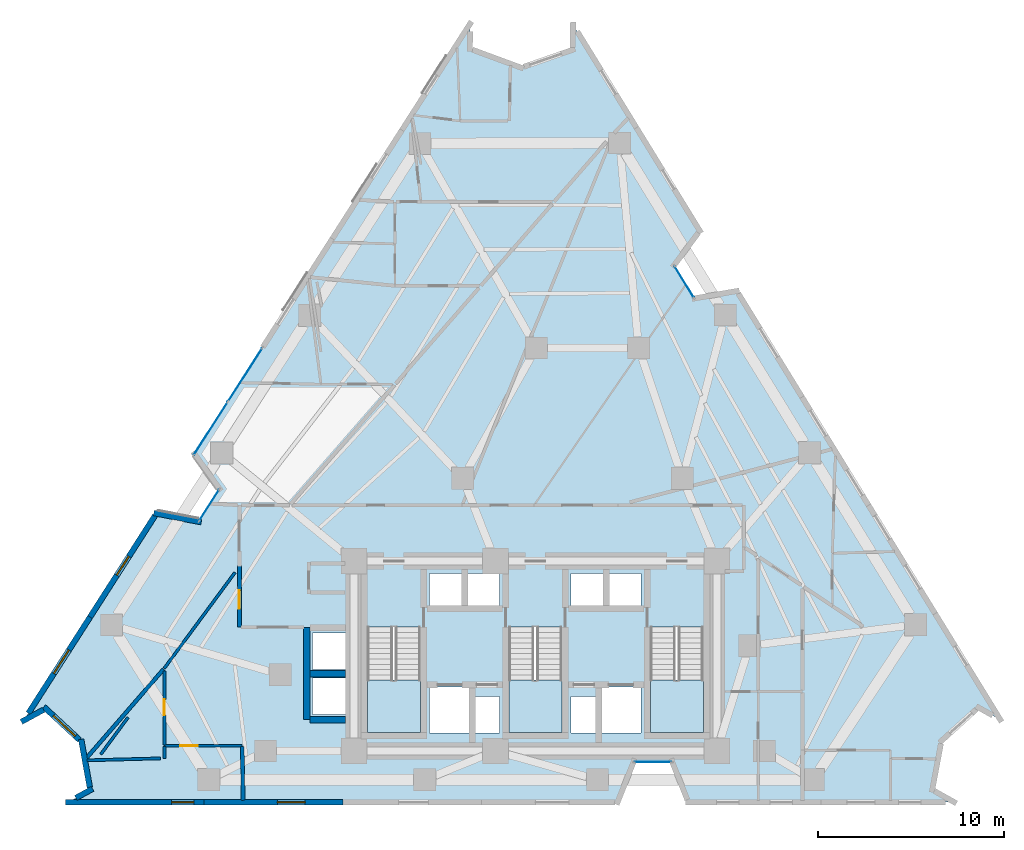
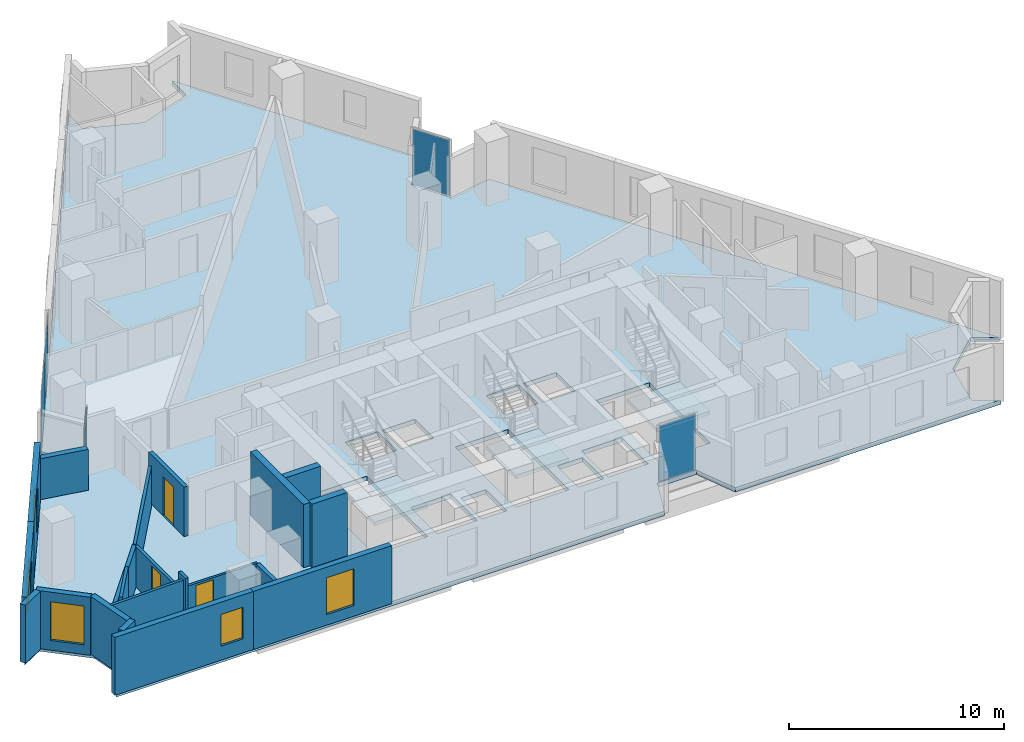
# One storey, part 6 of 13: 21 walls, 5 plates, 5 windows, 4 slabs, 3 doors, 8 openings, 7 elements without a shape of their own.
"""IFC4 building model written with IfcOpenShell, lengths in metres."""

from ifc_helpers import new_model, si_unit, direction, frame, frame_2d, origin, origin_2d, place, context, subcontext, project, spatial, polyline, rectangle, outline, extrude, material, layer, layer_set, type_object, element, fill, aggregate, save


model = new_model("IFC4")

# Units and contexts
model_context = context("Model", 3, precision=1e-05, world=origin(), true_north=direction((0.0, 1.0)))
body_context = subcontext(model_context, "Body", "Model", "MODEL_VIEW")
ifc_project = project(units=[si_unit("LENGTHUNIT", "METRE"), si_unit("AREAUNIT", "SQUARE_METRE"), si_unit("VOLUMEUNIT", "CUBIC_METRE"), si_unit("PLANEANGLEUNIT", "RADIAN"), si_unit("MASSUNIT", "GRAM", prefix="KILO")], contexts=[model_context])

# Site, building, storey
site_placement = place(None, origin())
site = spatial("IfcSite", under=ifc_project, at=site_placement, CompositionType="ELEMENT")
building_placement = place(site_placement, origin())
building = spatial("IfcBuilding", under=site, at=building_placement, Name="Almagre Mirador Tower", CompositionType="ELEMENT")
storey_placement = place(building_placement, frame((0.0, 0.0, 96.60009765625)))
storey = spatial("IfcBuildingStorey", under=building, at=storey_placement, Name="L24", CompositionType="ELEMENT", Elevation=96.60009765625)

# Curtain wall, plate
ifc_material_1 = material(Name="Black anodized aluminium", Category="aluminium")
ifc_layer_1 = layer(ifc_material_1, 0.169921875)
ifc_layer_set_1 = layer_set([ifc_layer_1], Name="Black anodized aluminium")
curtain_wall_type_1 = type_object("IfcCurtainWallType", Name="CW-CRS-SYS", PredefinedType="NOTDEFINED", material=ifc_layer_set_1)
curtain_wall_1_placement = place(storey_placement, origin())
curtain_wall_1 = element("IfcCurtainWall", 1, at=curtain_wall_1_placement, inside=storey, type_object=curtain_wall_type_1, Name="L24 vertical crease curtain wall 01", PredefinedType="NOTDEFINED")
ifc_material_2 = material(Name="Dark solar-control laminated hurricane glass", Category="glass")
ifc_layer_2 = layer(ifc_material_2, 0.028076171875)
ifc_layer_set_2 = layer_set([ifc_layer_2], Name="Dark solar-control laminated hurricane glass")
plate_type_1 = type_object("IfcPlateType", Name="PLT-GLZ-28", PredefinedType="CURTAIN_PANEL", material=ifc_layer_set_2)
plate_1_placement = place(storey_placement, frame((19.77197265625, 17.7490234375, 0.06005859375), z_axis=(0.0, 0.0, 1.0), x_axis=(0.539596564827, 0.841923718176, 0.0)))
plate_1 = element("IfcPlate", 2, at=plate_1_placement, type_object=plate_type_1, Name="CW-4 panel 1.1", PredefinedType="CURTAIN_PANEL", context=body_context, shape_type="SweptSolid", body=[
    extrude(rectangle(XDim=1.970458984375, YDim=0.028076171875, at=origin_2d()), origin(), (0.0, 0.0, 1.0), 3.179931640625),
])
aggregate(curtain_wall_1, [plate_1])

curtain_wall_2_placement = place(storey_placement, origin())
curtain_wall_2 = element("IfcCurtainWall", 3, at=curtain_wall_2_placement, inside=storey, type_object=curtain_wall_type_1, Name="L24 vertical crease curtain wall 03", PredefinedType="NOTDEFINED")
plate_2_placement = place(storey_placement, frame((45.2958984375, 29.74853515625, 0.06005859375), z_axis=(0.0, 0.0, 1.0), x_axis=(0.523403219085, -0.852085130871, 0.0)))
plate_2 = element("IfcPlate", 4, at=plate_2_placement, type_object=plate_type_1, Name="CW-4 panel 1.1", PredefinedType="CURTAIN_PANEL", context=body_context, shape_type="SweptSolid", body=[
    extrude(rectangle(XDim=1.97021484375, YDim=0.028076171875, at=origin_2d()), origin(), (0.0, 0.0, 1.0), 3.179931640625),
])
aggregate(curtain_wall_2, [plate_2])

curtain_wall_3_placement = place(storey_placement, origin())
curtain_wall_3 = element("IfcCurtainWall", 5, at=curtain_wall_3_placement, inside=storey, type_object=curtain_wall_type_1, Name="L24 vertical crease curtain wall 04", PredefinedType="NOTDEFINED")
plate_3_placement = place(storey_placement, frame((43.615966796875, 3.949951171875, 0.06005859375), z_axis=(0.0, 0.0, 1.0), x_axis=(-1.0, 0.0, 0.0)))
plate_3 = element("IfcPlate", 6, at=plate_3_placement, type_object=plate_type_1, Name="CW-4 panel 1.1", PredefinedType="CURTAIN_PANEL", context=body_context, shape_type="SweptSolid", body=[
    extrude(rectangle(XDim=1.969970703125, YDim=0.028076171875, at=origin_2d()), origin(), (0.0, 0.0, 1.0), 3.179931640625),
])
aggregate(curtain_wall_3, [plate_3])

# Curtain wall, plates
ifc_material_3 = material(Name="Black anodized aluminium", Category="aluminium")
ifc_layer_3 = layer(ifc_material_3, 0.18994140625)
ifc_layer_set_3 = layer_set([ifc_layer_3], Name="Black anodized aluminium")
curtain_wall_type_2 = type_object("IfcCurtainWallType", Name="CW-RES-L-SYS", PredefinedType="NOTDEFINED", material=ifc_layer_set_3)
curtain_wall_4_placement = place(storey_placement, origin())
curtain_wall_4 = element("IfcCurtainWall", 7, at=curtain_wall_4_placement, inside=storey, type_object=curtain_wall_type_2, Name="L24 curtain wall run 02", PredefinedType="NOTDEFINED")
ifc_material_4 = material(Name="Dark solar-control laminated hurricane glass", Category="glass")
ifc_layer_4 = layer(ifc_material_4, 0.031982421875)
ifc_layer_set_4 = layer_set([ifc_layer_4], Name="Dark solar-control laminated hurricane glass")
plate_type_2 = type_object("IfcPlateType", Name="PLT-GLZ-32", PredefinedType="CURTAIN_PANEL", material=ifc_layer_set_4)
plate_4_placement = place(storey_placement, frame((19.855224609375, 21.864013671875, 0.06005859375), z_axis=(0.0, 0.0, 1.0), x_axis=(0.539462147301, 0.842009852454, 0.0)))
plate_4 = element("IfcPlate", 8, at=plate_4_placement, type_object=plate_type_2, Name="CW-2 panel 1.1", PredefinedType="CURTAIN_PANEL", context=body_context, shape_type="SweptSolid", body=[
    extrude(rectangle(XDim=3.36865234375, YDim=0.031982421875, at=origin_2d()), origin(), (0.0, 0.0, 1.0), 3.179931640625),
])
plate_5_placement = place(storey_placement, frame((21.70751953125, 24.75537109375, 0.06005859375), z_axis=(0.0, 0.0, 1.0), x_axis=(0.539462147301, 0.842009852454, 0.0)))
plate_5 = element("IfcPlate", 9, at=plate_5_placement, type_object=plate_type_2, Name="CW-2 panel 2.1", PredefinedType="CURTAIN_PANEL", context=body_context, shape_type="SweptSolid", body=[
    extrude(rectangle(XDim=3.36865234375, YDim=0.031982421875, at=origin_2d()), origin(), (0.0, 0.0, 1.0), 3.179931640625),
])
aggregate(curtain_wall_4, [plate_4, plate_5])

# Slab
ifc_material_5 = material(Name="Concrete C45/55", Category="concrete")
ifc_layer_5 = layer(ifc_material_5, 0.25)
ifc_layer_set_5 = layer_set([ifc_layer_5], Name="Concrete C45/55")
slab_type_1 = type_object("IfcSlabType", Name="SLB-FLR-250", PredefinedType="FLOOR", material=ifc_layer_set_5)
slab_1_placement = place(storey_placement, frame((0.0, 0.0, -0.25)))
element("IfcSlab", 10, at=slab_1_placement, inside=storey, type_object=slab_type_1, Name="L24 structural floor slab", PredefinedType="FLOOR", context=body_context, shape_type="SweptSolid", body=[
    extrude(outline(polyline([(9.804931640625, 6.177978515625), (10.989990234375, 6.825927734375), (12.9169921875, 5.035888671875), (13.384033203125, 2.447998046875), (12.199951171875, 1.800048828125), (41.716064453125, 1.800048828125), (42.571044921875, 3.949951171875), (44.660888671875, 3.949951171875), (45.51611328125, 1.800048828125), (59.800048828125, 1.800048828125), (58.6220703125, 2.458984375), (59.114013671875, 5.091064453125), (61.09912109375, 6.888916015625), (62.277099609375, 6.22998046875), (48.1220703125, 29.256103515625), (45.843017578125, 28.85791015625), (44.7490234375, 30.638916015625), (46.132080078125, 32.492919921875), (39.322998046875, 43.570068359375), (39.31103515625, 42.219970703125), (36.537109375, 41.256103515625), (33.781982421875, 42.27197265625), (33.794921875, 43.6220703125), (18.987060546875, 20.509033203125), (20.3359375, 18.62890625), (19.2080078125, 16.868896484375), (16.93701171875, 17.30908203125), (9.804931640625, 6.177978515625)]), holes=[polyline([(43.47509765625, 11.196044921875), (46.324951171875, 11.196044921875), (46.324951171875, 5.550048828125), (43.47509765625, 5.550048828125), (43.47509765625, 11.196044921875)]), polyline([(40.820068359375, 5.52001953125), (40.820068359375, 7.97998046875), (42.97998046875, 7.97998046875), (42.97998046875, 5.52001953125), (40.820068359375, 5.52001953125)]), polyline([(41.219970703125, 12.320068359375), (41.219970703125, 14.080078125), (42.97998046875, 14.080078125), (42.97998046875, 12.320068359375), (41.219970703125, 12.320068359375)]), polyline([(39.219970703125, 12.320068359375), (39.219970703125, 14.080078125), (40.97998046875, 14.080078125), (40.97998046875, 12.320068359375), (39.219970703125, 12.320068359375)]), polyline([(39.219970703125, 5.52001953125), (39.219970703125, 7.47998046875), (40.580078125, 7.47998046875), (40.580078125, 5.52001953125), (39.219970703125, 5.52001953125)]), polyline([(35.875, 11.196044921875), (38.72509765625, 11.196044921875), (38.72509765625, 5.550048828125), (35.875, 5.550048828125), (35.875, 11.196044921875)]), polyline([(35.3798828125, 5.52001953125), (34.02001953125, 5.52001953125), (34.02001953125, 7.47998046875), (35.3798828125, 7.47998046875), (35.3798828125, 5.52001953125)]), polyline([(35.3798828125, 12.320068359375), (33.6201171875, 12.320068359375), (33.6201171875, 14.080078125), (35.3798828125, 14.080078125), (35.3798828125, 12.320068359375)]), polyline([(31.6201171875, 5.52001953125), (31.6201171875, 7.97998046875), (33.780029296875, 7.97998046875), (33.780029296875, 5.52001953125), (31.6201171875, 5.52001953125)]), polyline([(31.6201171875, 12.320068359375), (31.6201171875, 14.080078125), (33.3798828125, 14.080078125), (33.3798828125, 12.320068359375), (31.6201171875, 12.320068359375)]), polyline([(28.27490234375, 5.550048828125), (28.27490234375, 11.196044921875), (31.125, 11.196044921875), (31.125, 5.550048828125), (28.27490234375, 5.550048828125)]), polyline([(25.320068359375, 6.52001953125), (25.320068359375, 8.47998046875), (27.3798828125, 8.47998046875), (27.3798828125, 6.52001953125), (25.320068359375, 6.52001953125)]), polyline([(25.320068359375, 8.919921875), (25.320068359375, 10.8798828125), (27.3798828125, 10.8798828125), (27.3798828125, 8.919921875), (25.320068359375, 8.919921875)])]), origin(), (0.0, 0.0, 1.0), 0.25),
])

# Stair, slab
ifc_material_6 = material(Name="Concrete C45/55", Category="concrete")
stair_type = type_object("IfcStairType", Name="STR-DL-3600", PredefinedType="HALF_TURN_STAIR", material=ifc_material_6)
stair_1_placement = place(storey_placement, origin())
stair_1 = element("IfcStair", 11, at=stair_1_placement, inside=storey, type_object=stair_type, Name="L24 Protected exit stair ST-1", PredefinedType="HALF_TURN_STAIR")
ifc_material_7 = material(Name="Concrete C45/55", Category="concrete")
ifc_layer_6 = layer(ifc_material_7, 0.199951171875)
ifc_layer_set_6 = layer_set([ifc_layer_6], Name="Concrete C45/55")
slab_type_2 = type_object("IfcSlabType", Name="SLB-LND-200", PredefinedType="LANDING", material=ifc_layer_set_6)
slab_2_placement = place(storey_placement, frame((0.0, 0.0, 1.599853515625)))
slab_2 = element("IfcSlab", 12, at=slab_2_placement, type_object=slab_type_2, Name="ST-1 landing 1", PredefinedType="LANDING", context=body_context, shape_type="SweptSolid", body=[
    extrude(outline(polyline([(28.27490234375, 8.35009765625), (28.27490234375, 5.550048828125), (31.125, 5.550048828125), (31.125, 8.35009765625), (28.27490234375, 8.35009765625)])), origin(), (0.0, 0.0, 1.0), 0.199951171875),
])
aggregate(stair_1, [slab_2])

stair_2_placement = place(storey_placement, origin())
stair_2 = element("IfcStair", 13, at=stair_2_placement, inside=storey, type_object=stair_type, Name="L24 Protected exit stair ST-2", PredefinedType="HALF_TURN_STAIR")
slab_3_placement = place(storey_placement, frame((0.0, 0.0, 1.599853515625)))
slab_3 = element("IfcSlab", 14, at=slab_3_placement, type_object=slab_type_2, Name="ST-2 landing 1", PredefinedType="LANDING", context=body_context, shape_type="SweptSolid", body=[
    extrude(outline(polyline([(35.875, 8.35009765625), (35.875, 5.550048828125), (38.72509765625, 5.550048828125), (38.72509765625, 8.35009765625), (35.875, 8.35009765625)])), origin(), (0.0, 0.0, 1.0), 0.199951171875),
])
aggregate(stair_2, [slab_3])

stair_3_placement = place(storey_placement, origin())
stair_3 = element("IfcStair", 15, at=stair_3_placement, inside=storey, type_object=stair_type, Name="L24 Protected exit stair ST-3", PredefinedType="HALF_TURN_STAIR")
slab_4_placement = place(storey_placement, frame((0.0, 0.0, 1.599853515625)))
slab_4 = element("IfcSlab", 16, at=slab_4_placement, type_object=slab_type_2, Name="ST-3 landing 1", PredefinedType="LANDING", context=body_context, shape_type="SweptSolid", body=[
    extrude(outline(polyline([(43.47509765625, 8.35009765625), (43.47509765625, 5.550048828125), (46.324951171875, 5.550048828125), (46.324951171875, 8.35009765625), (43.47509765625, 8.35009765625)])), origin(), (0.0, 0.0, 1.0), 0.199951171875),
])
aggregate(stair_3, [slab_4])

# Wall
ifc_material_8 = material(Name="Precast concrete C50/60", Category="concrete")
ifc_layer_7 = layer(ifc_material_8, 0.300048828125)
ifc_layer_set_7 = layer_set([ifc_layer_7], Name="Precast concrete C50/60")
wall_type_1 = type_object("IfcWallType", Name="WAL-EXT-300", PredefinedType="SOLIDWALL", material=ifc_layer_set_7)
wall_1_placement = place(storey_placement, frame((16.799560546875, 17.335693359375, 0.0), z_axis=(0.0, 0.0, 1.0), x_axis=(0.981732795781, -0.190264861936, 0.0)))
element("IfcWall", 17, at=wall_1_placement, inside=storey, type_object=wall_type_1, Name="L24 expressed almagre precast frame wall 01", PredefinedType="SOLIDWALL", context=body_context, shape_type="SweptSolid", body=[
    extrude(rectangle(XDim=2.59326171875, YDim=0.300048828125, at=frame_2d((1.296630859375, 0.0))), origin(), (0.0, 0.0, 1.0), 2.324951171875),
])

# Wall, opening, window
wall_2_placement = place(storey_placement, frame((26.9580078125, 1.800048828125, 0.0), z_axis=(0.0, 0.0, 1.0), x_axis=(-1.0, 0.0, 0.0)))
wall_2 = element("IfcWall", 18, at=wall_2_placement, inside=storey, type_object=wall_type_1, Name="L24 expressed almagre precast frame wall 28", PredefinedType="SOLIDWALL", context=body_context, shape_type="SweptSolid", body=[
    extrude(rectangle(XDim=7.448974609375, YDim=0.300048828125, at=frame_2d((3.724609375, 0.0))), origin(), (0.0, 0.0, 1.0), 3.2998046875),
])
opening_1_placement = place(wall_2_placement, frame((2.02490234375, 0.0, 0.60009765625)))
opening_1 = element("IfcOpeningElement", 19, at=opening_1_placement, cuts=wall_2, Name="Opening WN-03", PredefinedType="OPENING", context=body_context, shape_type="SweptSolid", body=[
    extrude(rectangle(XDim=1.5, YDim=2.10009765625, at=frame_2d((0.75, 1.050048828125))), frame((0.0, 0.159902, 0.0), z_axis=(0.0, -1.0, 0.0), x_axis=(1.0, 0.0, 0.0)), (0.0, 0.0, 1.0), 0.320049),
])
ifc_material_9 = material(Name="Dark solar-control laminated hurricane glass", Category="glass")
window_type_1 = type_object("IfcWindowType", Name="WIN-1500X2100", PartitioningType="DOUBLE_PANEL_VERTICAL", PredefinedType="WINDOW", material=ifc_material_9)
window_1_placement = place(opening_1_placement, origin())
window_1 = element("IfcWindow", 20, at=window_1_placement, inside=storey, type_object=window_type_1, Name="L24 recessed hurricane window L24-RST-B", OverallHeight=2.10009765625, OverallWidth=1.5, PartitioningType="SINGLE_PANEL", PredefinedType="WINDOW", context=body_context, shape_type="SweptSolid", body=[
    extrude(rectangle(XDim=1.5, YDim=2.10009765625, at=frame_2d((0.75, 1.050048828125))), frame((0.0, 0.030029296875, 0.0), z_axis=(0.0, -1.0, 0.0), x_axis=(1.0, 0.0, 0.0)), (0.0, 0.0, 1.0), 0.06005859375),
])
fill(opening_1, window_1)

wall_3_placement = place(storey_placement, frame((19.509033203125, 1.800048828125, 0.0), z_axis=(0.0, 0.0, 1.0), x_axis=(-1.0, 0.0, 0.0)))
wall_3 = element("IfcWall", 21, at=wall_3_placement, inside=storey, type_object=wall_type_1, Name="L24 expressed almagre precast frame wall 29", PredefinedType="SOLIDWALL", context=body_context, shape_type="SweptSolid", body=[
    extrude(rectangle(XDim=7.448974609375, YDim=0.300048828125, at=frame_2d((3.724609375, 0.0))), origin(), (0.0, 0.0, 1.0), 3.2998046875),
])
opening_2_placement = place(wall_3_placement, frame((0.550048828125, 0.0, 0.800048828125)))
opening_2 = element("IfcOpeningElement", 22, at=opening_2_placement, cuts=wall_3, Name="Opening WN-04", PredefinedType="OPENING", context=body_context, shape_type="SweptSolid", body=[
    extrude(rectangle(XDim=1.199951171875, YDim=1.800048828125, at=frame_2d((0.60009765625, 0.89990234375))), frame((0.0, 0.159902, 0.0), z_axis=(0.0, -1.0, 0.0), x_axis=(1.0, 0.0, 0.0)), (0.0, 0.0, 1.0), 0.320049),
])
ifc_material_10 = material(Name="Dark solar-control laminated hurricane glass", Category="glass")
window_type_2 = type_object("IfcWindowType", Name="WIN-1200X1800", PartitioningType="SINGLE_PANEL", PredefinedType="WINDOW", material=ifc_material_10)
window_2_placement = place(opening_2_placement, origin())
window_2 = element("IfcWindow", 23, at=window_2_placement, inside=storey, type_object=window_type_2, Name="L24 recessed hurricane window L24-UA-KT", OverallHeight=1.800048828125, OverallWidth=1.199951171875, PartitioningType="SINGLE_PANEL", PredefinedType="WINDOW", context=body_context, shape_type="SweptSolid", body=[
    extrude(rectangle(XDim=1.199951171875, YDim=1.800048828125, at=frame_2d((0.60009765625, 0.89990234375))), frame((0.0, 0.030029296875, 0.0), z_axis=(0.0, -1.0, 0.0), x_axis=(1.0, 0.0, 0.0)), (0.0, 0.0, 1.0), 0.06005859375),
])
fill(opening_2, window_2)

# Walls
wall_4_placement = place(storey_placement, frame((12.6123046875, 2.025634765625, 0.0), z_axis=(0.0, 0.0, 1.0), x_axis=(0.877245120991, 0.480042704036, 0.0)))
element("IfcWall", 24, at=wall_4_placement, inside=storey, type_object=wall_type_1, Name="L24 expressed almagre precast frame wall 30", PredefinedType="SOLIDWALL", context=body_context, shape_type="SweptSolid", body=[
    extrude(rectangle(XDim=1.019775390625, YDim=0.300048828125, at=frame_2d((0.509765625, 0.0))), origin(), (0.0, 0.0, 1.0), 3.2998046875),
])
wall_5_placement = place(storey_placement, frame((13.360107421875, 2.580810546875, 0.0), z_axis=(0.0, 0.0, 1.0), x_axis=(-0.177621463404, 0.984098885142, 0.0)))
element("IfcWall", 25, at=wall_5_placement, inside=storey, type_object=wall_type_1, Name="L24 expressed almagre precast frame wall 31", PredefinedType="SOLIDWALL", context=body_context, shape_type="SweptSolid", body=[
    extrude(rectangle(XDim=2.635009765625, YDim=0.300048828125, at=frame_2d((1.3173828125, 0.0))), origin(), (0.0, 0.0, 1.0), 3.2998046875),
])

# Wall, opening, window
wall_6_placement = place(storey_placement, frame((12.80712890625, 5.13818359375, 0.0), z_axis=(0.0, 0.0, 1.0), x_axis=(-0.732670686937, 0.680583326642, 0.0)))
wall_6 = element("IfcWall", 26, at=wall_6_placement, inside=storey, type_object=wall_type_1, Name="L24 expressed almagre precast frame wall 32", PredefinedType="SOLIDWALL", context=body_context, shape_type="SweptSolid", body=[
    extrude(rectangle(XDim=2.6201171875, YDim=0.300048828125, at=frame_2d((1.31005859375, 0.0))), origin(), (0.0, 0.0, 1.0), 3.2998046875),
])
opening_3_placement = place(wall_6_placement, frame((0.31005859375, 0.0, 0.550048828125)))
opening_3 = element("IfcOpeningElement", 27, at=opening_3_placement, cuts=wall_6, Name="Opening WN-06", PredefinedType="OPENING", context=body_context, shape_type="SweptSolid", body=[
    extrude(rectangle(XDim=1.60009765625, YDim=2.199951171875, at=frame_2d((0.800048828125, 1.10009765625))), frame((0.0, 0.159902, 0.0), z_axis=(0.0, -1.0, 0.0), x_axis=(1.0, 0.0, 0.0)), (0.0, 0.0, 1.0), 0.320049),
])
ifc_material_11 = material(Name="Dark solar-control laminated hurricane glass", Category="glass")
window_type_3 = type_object("IfcWindowType", Name="WIN-1600X2200", PartitioningType="DOUBLE_PANEL_VERTICAL", PredefinedType="WINDOW", material=ifc_material_11)
window_3_placement = place(opening_3_placement, origin())
window_3 = element("IfcWindow", 28, at=window_3_placement, inside=storey, type_object=window_type_3, Name="L24 recessed hurricane window L24-RST-E", OverallHeight=2.199951171875, OverallWidth=1.60009765625, PartitioningType="SINGLE_PANEL", PredefinedType="WINDOW", context=body_context, shape_type="SweptSolid", body=[
    extrude(rectangle(XDim=1.60009765625, YDim=2.199951171875, at=frame_2d((0.800048828125, 1.10009765625))), frame((0.0, 0.030029296875, 0.0), z_axis=(0.0, -1.0, 0.0), x_axis=(1.0, 0.0, 0.0)), (0.0, 0.0, 1.0), 0.06005859375),
])
fill(opening_3, window_3)

# Wall
wall_7_placement = place(storey_placement, frame((10.8759765625, 6.763671875, 0.0), z_axis=(0.0, 0.0, 1.0), x_axis=(-0.877387661902, -0.47978212841, 0.0)))
element("IfcWall", 29, at=wall_7_placement, inside=storey, type_object=wall_type_1, Name="L24 expressed almagre precast frame wall 33", PredefinedType="SOLIDWALL", context=body_context, shape_type="SweptSolid", body=[
    extrude(rectangle(XDim=1.360595703125, YDim=0.300048828125, at=frame_2d((0.68017578125, 0.0))), origin(), (0.0, 0.0, 1.0), 3.2998046875),
])

# Wall, opening, window
wall_8_placement = place(storey_placement, frame((10.05859375, 6.57373046875, 0.0), z_axis=(0.0, 0.0, 1.0), x_axis=(0.539504958898, 0.841982422218, 0.0)))
wall_8 = element("IfcWall", 30, at=wall_8_placement, inside=storey, type_object=wall_type_1, Name="L24 expressed almagre precast frame wall 34", PredefinedType="SOLIDWALL", context=body_context, shape_type="SweptSolid", body=[
    extrude(rectangle(XDim=6.139892578125, YDim=0.300048828125, at=frame_2d((3.06982421875, 0.0))), origin(), (0.0, 0.0, 1.0), 3.2998046875),
])
opening_4_placement = place(wall_8_placement, frame((2.5400390625, 0.0, 0.60009765625)))
opening_4 = element("IfcOpeningElement", 31, at=opening_4_placement, cuts=wall_8, Name="Opening WN-03", PredefinedType="OPENING", context=body_context, shape_type="SweptSolid", body=[
    extrude(rectangle(XDim=1.5, YDim=2.10009765625, at=frame_2d((0.75, 1.050048828125))), frame((0.0, 0.159902, 0.0), z_axis=(0.0, -1.0, 0.0), x_axis=(1.0, 0.0, 0.0)), (0.0, 0.0, 1.0), 0.320049),
])
window_4_placement = place(opening_4_placement, origin())
window_4 = element("IfcWindow", 32, at=window_4_placement, inside=storey, type_object=window_type_1, Name="L24 recessed hurricane window L24-RST-E", OverallHeight=2.10009765625, OverallWidth=1.5, PartitioningType="SINGLE_PANEL", PredefinedType="WINDOW", context=body_context, shape_type="SweptSolid", body=[
    extrude(rectangle(XDim=1.5, YDim=2.10009765625, at=frame_2d((0.75, 1.050048828125))), frame((0.0, 0.030029296875, 0.0), z_axis=(0.0, -1.0, 0.0), x_axis=(1.0, 0.0, 0.0)), (0.0, 0.0, 1.0), 0.06005859375),
])
fill(opening_4, window_4)

wall_9_placement = place(storey_placement, frame((13.37109375, 11.743408203125, 0.0), z_axis=(0.0, 0.0, 1.0), x_axis=(0.539456253254, 0.842013628646, 0.0)))
wall_9 = element("IfcWall", 33, at=wall_9_placement, inside=storey, type_object=wall_type_1, Name="L24 expressed almagre precast frame wall 35", PredefinedType="SOLIDWALL", context=body_context, shape_type="SweptSolid", body=[
    extrude(rectangle(XDim=6.469970703125, YDim=0.300048828125, at=frame_2d((3.23486328125, 0.0))), origin(), (0.0, 0.0, 1.0), 3.2998046875),
])
opening_5_placement = place(wall_9_placement, frame((2.675048828125, 0.0, 0.800048828125)))
opening_5 = element("IfcOpeningElement", 34, at=opening_5_placement, cuts=wall_9, Name="Opening WN-04", PredefinedType="OPENING", context=body_context, shape_type="SweptSolid", body=[
    extrude(rectangle(XDim=1.199951171875, YDim=1.800048828125, at=frame_2d((0.60009765625, 0.89990234375))), frame((0.0, 0.159902, 0.0), z_axis=(0.0, -1.0, 0.0), x_axis=(1.0, 0.0, 0.0)), (0.0, 0.0, 1.0), 0.320049),
])
window_5_placement = place(opening_5_placement, origin())
window_5 = element("IfcWindow", 35, at=window_5_placement, inside=storey, type_object=window_type_2, Name="L24 recessed hurricane window L24-RST-E", OverallHeight=1.800048828125, OverallWidth=1.199951171875, PartitioningType="SINGLE_PANEL", PredefinedType="WINDOW", context=body_context, shape_type="SweptSolid", body=[
    extrude(rectangle(XDim=1.199951171875, YDim=1.800048828125, at=frame_2d((0.60009765625, 0.89990234375))), frame((0.0, 0.030029296875, 0.0), z_axis=(0.0, -1.0, 0.0), x_axis=(1.0, 0.0, 0.0)), (0.0, 0.0, 1.0), 0.06005859375),
])
fill(opening_5, window_5)

# Wall, opening, door
ifc_material_12 = material(Name="Gypsum acoustic stud partition", Category="other")
ifc_layer_8 = layer(ifc_material_12, 0.125)
ifc_layer_set_8 = layer_set([ifc_layer_8], Name="Gypsum acoustic stud partition")
wall_type_2 = type_object("IfcWallType", Name="WAL-PRT-125-UTL", PredefinedType="PARTITIONING", material=ifc_layer_set_8)
wall_10_placement = place(storey_placement, frame((17.3701171875, 4.830078125, 0.0), z_axis=(0.0, 0.0, 1.0), x_axis=(1.0, 0.0, 0.0)))
wall_10 = element("IfcWall", 36, at=wall_10_placement, inside=storey, type_object=wall_type_2, Name="L24 interior partition 012", PredefinedType="PARTITIONING", context=body_context, shape_type="SweptSolid", body=[
    extrude(rectangle(XDim=4.179931640625, YDim=0.125, at=frame_2d((2.08984375, 0.0))), origin(), (0.0, 0.0, 1.0), 2.31982421875),
])
opening_6_placement = place(wall_10_placement, frame((0.847900390625, 0.0, 0.0)))
opening_6 = element("IfcOpeningElement", 37, at=opening_6_placement, cuts=wall_10, Name="Opening UD-01", PredefinedType="OPENING", context=body_context, shape_type="SweptSolid", body=[
    extrude(rectangle(XDim=0.949951171875, YDim=2.199951171875, at=frame_2d((0.47509765625, 1.10009765625))), frame((0.0, 0.0725, 0.0), z_axis=(0.0, -1.0, 0.0), x_axis=(1.0, 0.0, 0.0)), (0.0, 0.0, 1.0), 0.145),
])
ifc_material_13 = material(Name="Solid American walnut timber", Category="wood")
door_type_1 = type_object("IfcDoorType", Name="DOR-UNR-950X2200", OperationType="NOTDEFINED", PredefinedType="DOOR", material=ifc_material_13)
door_1_placement = place(opening_6_placement, origin())
door_1 = element("IfcDoor", 38, at=door_1_placement, inside=storey, type_object=door_type_1, Name="DR-0815 L24 interior door L24-UA-ST to L24-UA-KT", OperationType="SINGLE_SWING_RIGHT", OverallHeight=2.199951171875, OverallWidth=0.949951171875, PredefinedType="DOOR", context=body_context, shape_type="SweptSolid", body=[
    extrude(rectangle(XDim=0.949951171875, YDim=2.199951171875, at=frame_2d((0.47509765625, 1.10009765625))), frame((0.0, 0.02490234375, 0.0), z_axis=(0.0, -1.0, 0.0), x_axis=(1.0, 0.0, 0.0)), (0.0, 0.0, 1.0), 0.050048828125),
])
fill(opening_6, door_1)

ifc_material_14 = material(Name="Gypsum acoustic stud partition", Category="other")
ifc_layer_9 = layer(ifc_material_14, 0.14990234375)
ifc_layer_set_9 = layer_set([ifc_layer_9], Name="Gypsum acoustic stud partition")
wall_type_3 = type_object("IfcWallType", Name="WAL-PRT-150-STD", PredefinedType="PARTITIONING", material=ifc_layer_set_9)
wall_11_placement = place(storey_placement, frame((17.3701171875, 8.840087890625, 0.0), z_axis=(0.0, 0.0, 1.0), x_axis=(0.0, -1.0, 0.0)))
wall_11 = element("IfcWall", 39, at=wall_11_placement, inside=storey, type_object=wall_type_3, Name="L24 interior partition 013", PredefinedType="PARTITIONING", context=body_context, shape_type="SweptSolid", body=[
    extrude(rectangle(XDim=3.962646484375, YDim=0.14990234375, at=frame_2d((1.9814453125, 0.0))), origin(), (0.0, 0.0, 1.0), 2.31982421875),
])
opening_7_placement = place(wall_11_placement, frame((1.52001953125, 0.0, 0.0)))
opening_7 = element("IfcOpeningElement", 40, at=opening_7_placement, cuts=wall_11, Name="Opening UD-04", PredefinedType="OPENING", context=body_context, shape_type="SweptSolid", body=[
    extrude(rectangle(XDim=0.85009765625, YDim=2.10009765625, at=frame_2d((0.425048828125, 1.050048828125))), frame((0.0, 0.084951, 0.0), z_axis=(0.0, -1.0, 0.0), x_axis=(1.0, 0.0, 0.0)), (0.0, 0.0, 1.0), 0.169902),
])
ifc_material_15 = material(Name="Moisture-resistant oak timber", Category="wood")
door_type_2 = type_object("IfcDoorType", Name="DOR-UNR-850X2100", OperationType="NOTDEFINED", PredefinedType="DOOR", material=ifc_material_15)
door_2_placement = place(opening_7_placement, origin())
door_2 = element("IfcDoor", 41, at=door_2_placement, inside=storey, type_object=door_type_2, Name="DR-0816 L24 interior door L24-UA-ST to L24-UA-BT", OperationType="SINGLE_SWING_LEFT", OverallHeight=2.10009765625, OverallWidth=0.85009765625, PredefinedType="DOOR", context=body_context, shape_type="SweptSolid", body=[
    extrude(rectangle(XDim=0.85009765625, YDim=2.10009765625, at=frame_2d((0.425048828125, 1.050048828125))), frame((0.0, 0.02490234375, 0.0), z_axis=(0.0, -1.0, 0.0), x_axis=(1.0, 0.0, 0.0)), (0.0, 0.0, 1.0), 0.050048828125),
])
fill(opening_7, door_2)

# Walls
wall_12_placement = place(storey_placement, frame((17.3701171875, 4.782470703125, 0.0), z_axis=(0.0, 0.0, 1.0), x_axis=(0.0, -1.0, 0.0)))
element("IfcWall", 42, at=wall_12_placement, inside=storey, type_object=wall_type_3, Name="L24 interior partition 014", PredefinedType="PARTITIONING", context=body_context, shape_type="SweptSolid", body=[
    extrude(rectangle(XDim=0.632568359375, YDim=0.14990234375, at=frame_2d((0.31640625, 0.0))), origin(), (0.0, 0.0, 1.0), 3.2998046875),
])
wall_13_placement = place(storey_placement, frame((13.2060546875, 4.0439453125, 0.0), z_axis=(0.0, 0.0, 1.0), x_axis=(0.999640228741, 0.026821876926, 0.0)))
element("IfcWall", 43, at=wall_13_placement, inside=storey, type_object=wall_type_3, Name="L24 interior partition 061", PredefinedType="PARTITIONING", context=body_context, shape_type="SweptSolid", body=[
    extrude(rectangle(XDim=3.950439453125, YDim=0.14990234375, at=frame_2d((1.97509765625, 0.0))), origin(), (0.0, 0.0, 1.0), 3.2998046875),
])
wall_14_placement = place(storey_placement, frame((15.4150390625, 6.35205078125, 0.0), z_axis=(0.0, 0.0, 1.0), x_axis=(-0.593701426761, -0.804685414222, 0.0)))
element("IfcWall", 44, at=wall_14_placement, inside=storey, type_object=wall_type_3, Name="L24 interior partition 062", PredefinedType="PARTITIONING", context=body_context, shape_type="SweptSolid", body=[
    extrude(rectangle(XDim=2.469482421875, YDim=0.14990234375, at=frame_2d((1.23486328125, 0.0))), origin(), (0.0, 0.0, 1.0), 3.2998046875),
])
wall_15_placement = place(storey_placement, frame((17.35791015625, 8.984130859375, 0.0), z_axis=(0.0, 0.0, 1.0), x_axis=(0.593868754029, 0.804561932351, 0.0)))
element("IfcWall", 45, at=wall_15_placement, inside=storey, type_object=wall_type_3, Name="L24 interior partition 067", PredefinedType="PARTITIONING", context=body_context, shape_type="SweptSolid", body=[
    extrude(rectangle(XDim=6.402099609375, YDim=0.14990234375, at=frame_2d((3.201171875, 0.0))), origin(), (0.0, 0.0, 1.0), 2.294921875),
])

# Wall, opening, door
ifc_material_16 = material(Name="Gypsum acoustic stud partition", Category="other")
ifc_layer_10 = layer(ifc_material_16, 0.199951171875)
ifc_layer_set_10 = layer_set([ifc_layer_10], Name="Gypsum acoustic stud partition")
wall_type_4 = type_object("IfcWallType", Name="WAL-PRT-200-EI60", PredefinedType="PARTITIONING", material=ifc_layer_set_10)
wall_16_placement = place(storey_placement, frame((21.39990234375, 14.5, 0.0), z_axis=(0.0, 0.0, 1.0), x_axis=(0.0, -1.0, 0.0)))
wall_16 = element("IfcWall", 46, at=wall_16_placement, inside=storey, type_object=wall_type_4, Name="L24 interior partition 001", PredefinedType="PARTITIONING", context=body_context, shape_type="SweptSolid", body=[
    extrude(rectangle(XDim=3.300048828125, YDim=0.199951171875, at=frame_2d((1.64990234375, 0.0))), origin(), (0.0, 0.0, 1.0), 2.809814453125),
])
opening_8_placement = place(wall_16_placement, frame((1.318359375, 0.0, 0.0)))
opening_8 = element("IfcOpeningElement", 47, at=opening_8_placement, cuts=wall_16, Name="Opening ID-01", PredefinedType="OPENING", context=body_context, shape_type="SweptSolid", body=[
    extrude(rectangle(XDim=1.0, YDim=2.199951171875, at=frame_2d((0.5, 1.10009765625))), frame((0.0, 0.110098, 0.0), z_axis=(0.0, -1.0, 0.0), x_axis=(1.0, 0.0, 0.0)), (0.0, 0.0, 1.0), 0.219951),
])
ifc_material_17 = material(Name="Fire-rated walnut timber", Category="wood")
door_type_3 = type_object("IfcDoorType", Name="DOR-FD60-1000X2200", OperationType="NOTDEFINED", PredefinedType="DOOR", material=ifc_material_17)
door_3_placement = place(opening_8_placement, origin())
door_3 = element("IfcDoor", 48, at=door_3_placement, inside=storey, type_object=door_type_3, Name="DR-0814 L24 interior door L24-RCOR to L24-UA-ST", OperationType="SINGLE_SWING_LEFT", OverallHeight=2.199951171875, OverallWidth=1.0, PredefinedType="DOOR", context=body_context, shape_type="SweptSolid", body=[
    extrude(rectangle(XDim=1.0, YDim=2.199951171875, at=frame_2d((0.5, 1.10009765625))), frame((0.0, 0.02490234375, 0.0), z_axis=(0.0, -1.0, 0.0), x_axis=(1.0, 0.0, 0.0)), (0.0, 0.0, 1.0), 0.050048828125),
])
fill(opening_8, door_3)

# Walls
wall_17_placement = place(storey_placement, frame((21.597900390625, 1.89990234375, 0.0), z_axis=(0.0, 0.0, 1.0), x_axis=(-0.01634405187, 0.999866427063, 0.0)))
element("IfcWall", 49, at=wall_17_placement, inside=storey, type_object=wall_type_4, Name="L24 interior partition 015", PredefinedType="PARTITIONING", context=body_context, shape_type="SweptSolid", body=[
    extrude(rectangle(XDim=2.883056640625, YDim=0.199951171875, at=frame_2d((1.44140625, 0.0))), origin(), (0.0, 0.0, 1.0), 2.294921875),
])
wall_18_placement = place(storey_placement, frame((17.3203125, 8.937255859375, 0.0), z_axis=(0.0, 0.0, 1.0), x_axis=(-0.6551775694, -0.755474918548, 0.0)))
element("IfcWall", 50, at=wall_18_placement, inside=storey, type_object=wall_type_4, Name="L24 interior partition 016", PredefinedType="PARTITIONING", context=body_context, shape_type="SweptSolid", body=[
    extrude(rectangle(XDim=6.282470703125, YDim=0.199951171875, at=frame_2d((3.14111328125, 0.0))), origin(), (0.0, 0.0, 1.0), 2.31982421875),
])
ifc_material_18 = material(Name="Concrete C60/75", Category="concrete")
ifc_layer_11 = layer(ifc_material_18, 0.35009765625)
ifc_layer_set_11 = layer_set([ifc_layer_11], Name="Concrete C60/75")
wall_type_5 = type_object("IfcWallType", Name="WAL-SHF-350", PredefinedType="SOLIDWALL", material=ifc_layer_set_11)
wall_19_placement = place(storey_placement, frame((25.02490234375, 6.22509765625, 0.0), z_axis=(0.0, 0.0, 1.0), x_axis=(0.0, 1.0, 0.0)))
element("IfcWall", 51, at=wall_19_placement, inside=storey, type_object=wall_type_5, Name="L24 shaft wall OL-W", PredefinedType="SOLIDWALL", context=body_context, shape_type="SweptSolid", body=[
    extrude(rectangle(XDim=4.949951171875, YDim=0.35009765625, at=frame_2d((2.47509765625, 0.0))), origin(), (0.0, 0.0, 1.0), 3.599853515625),
])
for number, where, z_axis, x_axis, name in (
    (52, (25.199951171875, 6.22509765625, 0.0), (0.0, 0.0, 1.0), (1.0, 0.0, 0.0), "L24 shaft wall OL-S"),
    (53, (25.199951171875, 8.699951171875, 0.0), (0.0, 0.0, 1.0), (1.0, 0.0, 0.0), "L24 shaft wall OL-M"),
):
    element("IfcWall", number, at=place(storey_placement, frame(where, z_axis=z_axis, x_axis=x_axis)), inside=storey, type_object=wall_type_5, Name=name, PredefinedType="SOLIDWALL", context=body_context, shape_type="SweptSolid", body=[
        extrude(rectangle(XDim=1.900146484375, YDim=0.35009765625, at=frame_2d((0.9501953125, 0.0))), origin(), (0.0, 0.0, 1.0), 3.599853515625),
    ])

save(model, "model.ifc")
